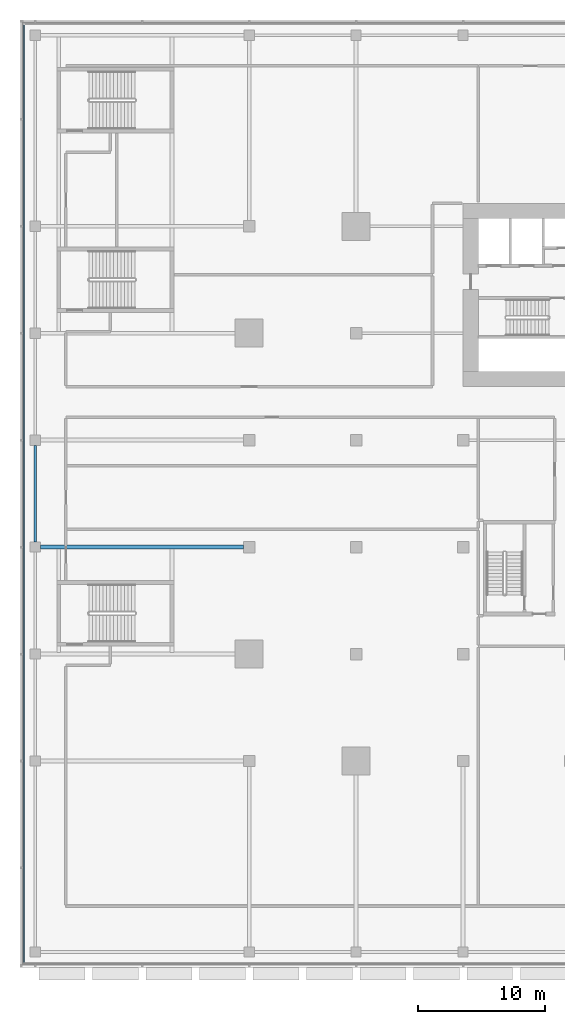
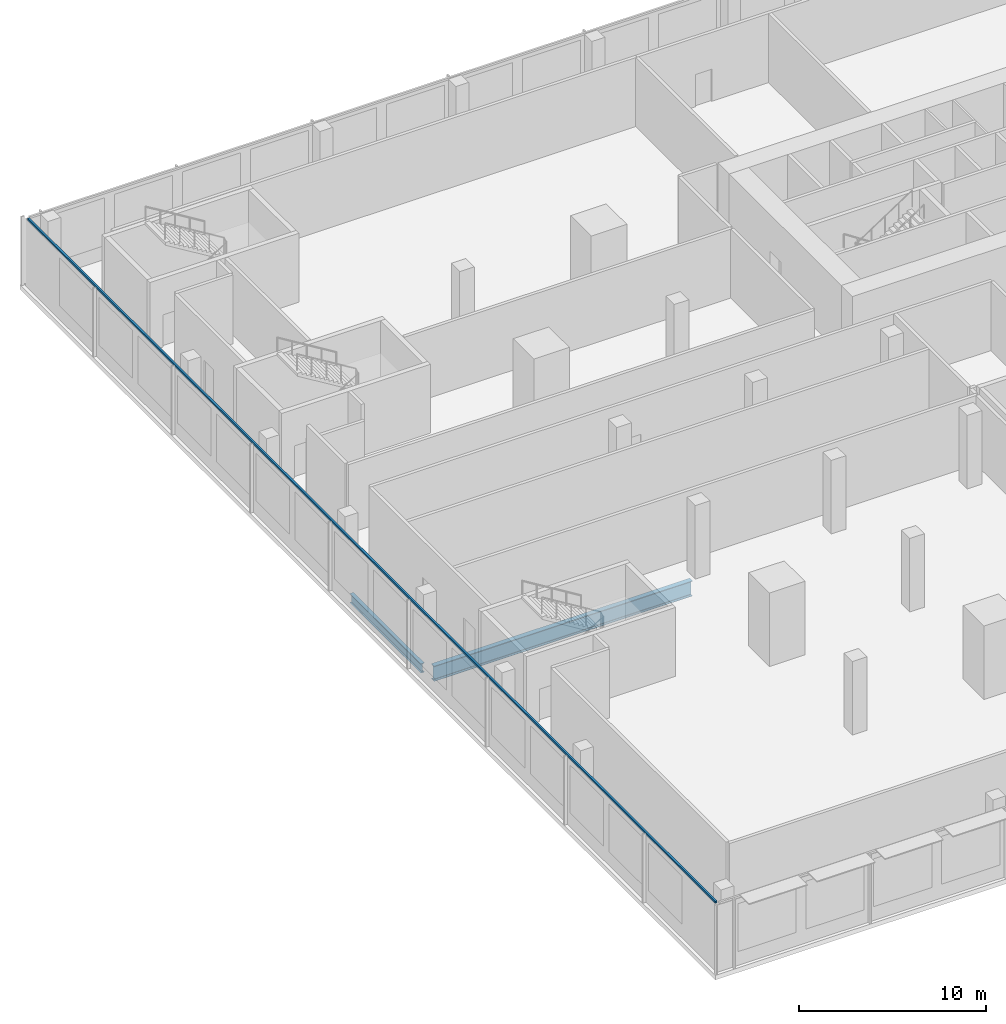
# One storey, part 8 of 39: 2 beams, 1 member, 1 element without a shape of its own.
"""IFC4 building model written with IfcOpenShell, lengths in metres."""

from ifc_helpers import new_model, si_unit, direction, frame, origin, origin_2d, place, context, subcontext, project, spatial, rectangle, i_section, extrude, material, material_profile, profile_set, type_object, element, aggregate, save


model = new_model("IFC4")

# Units and contexts
model_context = context("Model", 3, precision=1e-05, world=origin(), true_north=direction((0.0, 1.0)))
body_context = subcontext(model_context, "Body", "Model", "MODEL_VIEW")
ifc_project = project(units=[si_unit("LENGTHUNIT", "METRE"), si_unit("AREAUNIT", "SQUARE_METRE"), si_unit("VOLUMEUNIT", "CUBIC_METRE"), si_unit("PLANEANGLEUNIT", "RADIAN"), si_unit("MASSUNIT", "GRAM", prefix="KILO")], contexts=[model_context])

# Site, building, storey
site_placement = place(None, origin())
site = spatial("IfcSite", under=ifc_project, at=site_placement, CompositionType="ELEMENT")
building_placement = place(site_placement, origin())
building = spatial("IfcBuilding", under=site, at=building_placement, Name="Saffron Gate Tower", CompositionType="ELEMENT")
storey_placement = place(building_placement, frame((0.0, 0.0, 14.39990234375)))
storey = spatial("IfcBuildingStorey", under=building, at=storey_placement, Name="L02", CompositionType="ELEMENT", Elevation=14.39990234375)

# Beams
ifc_material_1 = material(Name="Structural steel S355", Category="steel")
ifc_material_profile_1 = material_profile(ifc_material_1, i_section(OverallWidth=0.219970703125, OverallDepth=0.60009765625, WebThickness=0.011962890625, FlangeThickness=0.01904296875, FilletRadius=0.02392578125, at=origin_2d()))
ifc_profile_set_1 = profile_set([ifc_material_profile_1], Name="Structural steel S355")
beam_type_1 = type_object("IfcBeamType", Name="B15 IPE 600", PredefinedType="BEAM", material=ifc_profile_set_1)
beam_1_placement = place(storey_placement, frame((33.0, 49.0, -0.599853515625), z_axis=(0.0, 1.0, 0.0), x_axis=(-1.0, 0.0, 0.0)))
element("IfcBeam", 1, at=beam_1_placement, inside=storey, type_object=beam_type_1, Name="B15 PODIUM EDGE BEAM", PredefinedType="BEAM", context=body_context, shape_type="SweptSolid", body=[
    extrude(i_section(OverallWidth=0.219970703125, OverallDepth=0.60009765625, WebThickness=0.011962890625, FlangeThickness=0.01904296875, FilletRadius=0.02392578125, at=origin_2d()), origin(), (0.0, 0.0, 1.0), 7.60009765625),
])
ifc_material_profile_2 = material_profile(ifc_material_1, i_section(OverallWidth=0.300048828125, OverallDepth=0.989990234375, WebThickness=0.0166015625, FlangeThickness=0.031005859375, FilletRadius=0.030029296875, at=origin_2d()))
ifc_profile_set_2 = profile_set([ifc_material_profile_2], Name="Structural steel S355")
beam_type_2 = type_object("IfcBeamType", Name="B21 HEA 1000", PredefinedType="BEAM", material=ifc_profile_set_2)
beam_2_placement = place(storey_placement, frame((33.39990234375, 48.60009765625, -0.794921875), z_axis=(1.0, 0.0, 0.0), x_axis=(0.0, 1.0, 0.0)))
element("IfcBeam", 2, at=beam_2_placement, inside=storey, type_object=beam_type_2, Name="B21 PODIUM RING GIRDER", PredefinedType="BEAM", context=body_context, shape_type="SweptSolid", body=[
    extrude(i_section(OverallWidth=0.300048828125, OverallDepth=0.989990234375, WebThickness=0.0166015625, FlangeThickness=0.031005859375, FilletRadius=0.030029296875, at=origin_2d()), origin(), (0.0, 0.0, 1.0), 15.9501953125),
])

# Curtain wall, member
ifc_material_2 = material(Name="Aluminium, bronze anodised", Category="aluminium")
curtain_wall_type = type_object("IfcCurtainWallType", Name="CWS5 curtain wall podium ring base", PredefinedType="NOTDEFINED", material=ifc_material_2)
curtain_wall_placement = place(storey_placement, origin())
curtain_wall = element("IfcCurtainWall", 3, at=curtain_wall_placement, inside=storey, type_object=curtain_wall_type, Name="CWS5 run 4", PredefinedType="NOTDEFINED")
ifc_material_profile_3 = material_profile(ifc_material_2, rectangle(XDim=0.1201171875, YDim=0.1201171875, at=origin_2d()))
ifc_profile_set_3 = profile_set([ifc_material_profile_3], Name="Aluminium, bronze anodised")
member_type = type_object("IfcMemberType", Name="CWS5 head transom", PredefinedType="USERDEFINED", material=ifc_profile_set_3)
member_placement = place(storey_placement, frame((32.087890625, 89.592041015625, 4.440185546875), z_axis=(0.0, -1.0, 0.0), x_axis=(1.0, 0.0, 0.0)))
member = element("IfcMember", 4, at=member_placement, type_object=member_type, Name="CWS5 head transom", ObjectType="TRANSOM", PredefinedType="USERDEFINED", context=body_context, shape_type="SweptSolid", body=[
    extrude(rectangle(XDim=0.1201171875, YDim=0.1201171875, at=origin_2d()), origin(), (0.0, 0.0, 1.0), 73.583984375),
])
aggregate(curtain_wall, [member])

save(model, "model.ifc")
